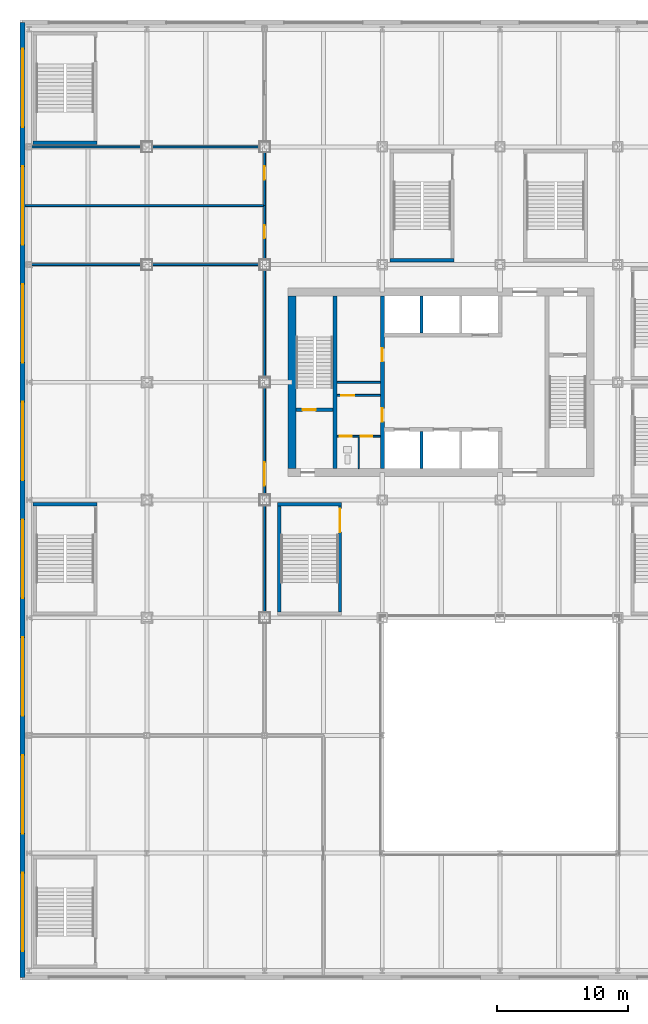
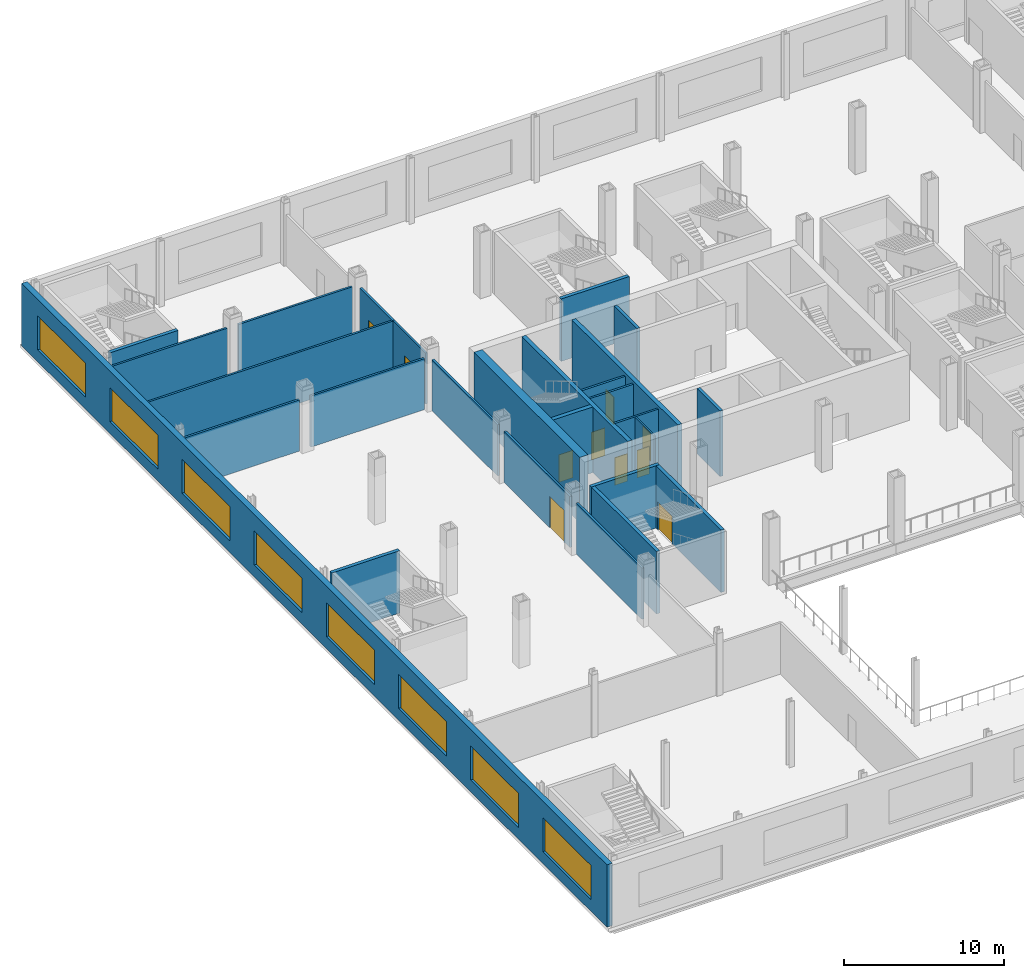
# One storey, part 12 of 28: 27 walls, 10 doors, 8 windows, 18 openings.
"""IFC4 building model written with IfcOpenShell, lengths in metres."""

from ifc_helpers import new_model, si_unit, direction, frame, frame_2d, origin, place, context, subcontext, project, spatial, rectangle, extrude, material, layer, layer_set, type_object, element, fill, save


model = new_model("IFC4")

# Units and contexts
model_context = context("Model", 3, precision=1e-05, world=origin(), true_north=direction((0.0, 1.0)))
body_context = subcontext(model_context, "Body", "Model", "MODEL_VIEW")
ifc_project = project(units=[si_unit("LENGTHUNIT", "METRE"), si_unit("AREAUNIT", "SQUARE_METRE"), si_unit("VOLUMEUNIT", "CUBIC_METRE"), si_unit("PLANEANGLEUNIT", "RADIAN"), si_unit("MASSUNIT", "GRAM", prefix="KILO")], contexts=[model_context])

# Site, building, storey
site_placement = place(None, origin())
site = spatial("IfcSite", under=ifc_project, at=site_placement, CompositionType="ELEMENT")
building_placement = place(site_placement, origin())
building = spatial("IfcBuilding", under=site, at=building_placement, Name="Loomwork Tower", CompositionType="ELEMENT")
storey_placement = place(building_placement, frame((0.0, 0.0, 6.0)))
storey = spatial("IfcBuildingStorey", under=building, at=storey_placement, Name="L01", CompositionType="ELEMENT", Elevation=6.0)

# Wall
ifc_material_1 = material(Name="Concrete 14000 psi (97 MPa)", Category="concrete")
ifc_layer_1 = layer(ifc_material_1, 0.300048828125)
ifc_layer_set_1 = layer_set([ifc_layer_1], Name="Core shear wall 300")
wall_type_1 = type_object("IfcWallType", Name="Core shear wall 300", PredefinedType="SHEAR", material=ifc_layer_set_1)
wall_1_placement = place(storey_placement, frame((14.39990234375, 11.39990234375, 0.0), z_axis=(0.0, 0.0, 1.0), x_axis=(0.0, 1.0, 0.0)))
element("IfcWall", 1, at=wall_1_placement, inside=storey, type_object=wall_type_1, Name="Stair A east wall L01", PredefinedType="SHEAR", context=body_context, shape_type="SweptSolid", body=[
    extrude(rectangle(XDim=13.2001953125, YDim=0.300048828125, at=frame_2d((6.60009765625, 0.0))), origin(), (0.0, 0.0, 1.0), 5.0),
])

# Wall, opening, door
wall_2_placement = place(storey_placement, frame((11.39990234375, 15.89990234375, 0.0), z_axis=(0.0, 0.0, 1.0), x_axis=(1.0, 0.0, 0.0)))
wall_2 = element("IfcWall", 2, at=wall_2_placement, inside=storey, type_object=wall_type_1, Name="Stair A south wall L01", PredefinedType="SHEAR", context=body_context, shape_type="SweptSolid", body=[
    extrude(rectangle(XDim=2.85009765625, YDim=0.300048828125, at=frame_2d((1.425048828125, 0.0))), origin(), (0.0, 0.0, 1.0), 5.0),
])
opening_1_placement = place(wall_2_placement, frame((0.5, 0.0, 0.0)))
opening_1 = element("IfcOpeningElement", 3, at=opening_1_placement, cuts=wall_2, Name="Opening D4", PredefinedType="OPENING", context=body_context, shape_type="SweptSolid", body=[
    extrude(rectangle(XDim=1.0, YDim=2.10009765625, at=frame_2d((0.5, 1.050048828125))), frame((0.0, 0.159912109375, 0.0), z_axis=(0.0, -1.0, 0.0), x_axis=(1.0, 0.0, 0.0)), (0.0, 0.0, 1.0), 0.320068359375),
])
ifc_material_2 = material(Name="Hollow metal door and frame")
door_type_1 = type_object("IfcDoorType", Name="Stair door 1000", OperationType="SINGLE_SWING_RIGHT", PredefinedType="DOOR", material=ifc_material_2)
door_1_placement = place(opening_1_placement, origin())
door_1 = element("IfcDoor", 4, at=door_1_placement, inside=storey, type_object=door_type_1, Name="Stair A door", OperationType="SINGLE_SWING_LEFT", OverallHeight=2.10009765625, OverallWidth=1.0, PredefinedType="DOOR", context=body_context, shape_type="SweptSolid", body=[
    extrude(rectangle(XDim=1.0, YDim=2.10009765625, at=frame_2d((0.5, 1.050048828125))), frame((0.0, 0.02490234375, 0.0), z_axis=(0.0, -1.0, 0.0), x_axis=(1.0, 0.0, 0.0)), (0.0, 0.0, 1.0), 0.050048828125),
])
fill(opening_1, door_1)

# Wall, openings, doors
wall_3_placement = place(storey_placement, frame((18.0, 11.39990234375, 0.0), z_axis=(0.0, 0.0, 1.0), x_axis=(0.0, 1.0, 0.0)))
wall_3 = element("IfcWall", 5, at=wall_3_placement, inside=storey, type_object=wall_type_1, Name="Lobby west wall L01", PredefinedType="SHEAR", context=body_context, shape_type="SweptSolid", body=[
    extrude(rectangle(XDim=13.2001953125, YDim=0.300048828125, at=frame_2d((6.60009765625, 0.0))), origin(), (0.0, 0.0, 1.0), 5.0),
])
opening_2_placement = place(wall_3_placement, frame((3.60009765625, 0.0, 0.0)))
opening_2 = element("IfcOpeningElement", 6, at=opening_2_placement, cuts=wall_3, Name="Opening D5", PredefinedType="OPENING", context=body_context, shape_type="SweptSolid", body=[
    extrude(rectangle(XDim=1.0, YDim=2.10009765625, at=frame_2d((0.5, 1.050048828125))), frame((0.0, 0.159912109375, 0.0), z_axis=(0.0, -1.0, 0.0), x_axis=(1.0, 0.0, 0.0)), (0.0, 0.0, 1.0), 0.320068359375),
])
opening_3_placement = place(wall_3_placement, frame((8.199951171875, 0.0, 0.0)))
opening_3 = element("IfcOpeningElement", 7, at=opening_3_placement, cuts=wall_3, Name="Opening D5", PredefinedType="OPENING", context=body_context, shape_type="SweptSolid", body=[
    extrude(rectangle(XDim=1.0, YDim=2.10009765625, at=frame_2d((0.5, 1.050048828125))), frame((0.0, 0.159912109375, 0.0), z_axis=(0.0, -1.0, 0.0), x_axis=(1.0, 0.0, 0.0)), (0.0, 0.0, 1.0), 0.320068359375),
])
ifc_material_3 = material(Name="Hollow metal door and frame")
door_type_2 = type_object("IfcDoorType", Name="Service door 1000", OperationType="SINGLE_SWING_LEFT", PredefinedType="DOOR", material=ifc_material_3)
door_2_placement = place(opening_2_placement, origin())
door_2 = element("IfcDoor", 8, at=door_2_placement, inside=storey, type_object=door_type_2, Name="Back-of-house door south", OperationType="SINGLE_SWING_LEFT", OverallHeight=2.10009765625, OverallWidth=1.0, PredefinedType="DOOR", context=body_context, shape_type="SweptSolid", body=[
    extrude(rectangle(XDim=1.0, YDim=2.10009765625, at=frame_2d((0.5, 1.050048828125))), frame((0.0, 0.02490234375, 0.0), z_axis=(0.0, -1.0, 0.0), x_axis=(1.0, 0.0, 0.0)), (0.0, 0.0, 1.0), 0.050048828125),
])
fill(opening_2, door_2)
door_3_placement = place(opening_3_placement, origin())
door_3 = element("IfcDoor", 9, at=door_3_placement, inside=storey, type_object=door_type_2, Name="Back-of-house door north", OperationType="SINGLE_SWING_RIGHT", OverallHeight=2.10009765625, OverallWidth=1.0, PredefinedType="DOOR", context=body_context, shape_type="SweptSolid", body=[
    extrude(rectangle(XDim=1.0, YDim=2.10009765625, at=frame_2d((0.5, 1.050048828125))), frame((0.0, 0.02490234375, 0.0), z_axis=(0.0, -1.0, 0.0), x_axis=(1.0, 0.0, 0.0)), (0.0, 0.0, 1.0), 0.050048828125),
])
fill(opening_3, door_3)

# Walls
ifc_material_4 = material(Name="Concrete 14000 psi (97 MPa)", Category="concrete")
ifc_layer_2 = layer(ifc_material_4, 0.60009765625)
ifc_layer_set_2 = layer_set([ifc_layer_2], Name="Core shear wall 600")
wall_type_2 = type_object("IfcWallType", Name="Core shear wall 600", PredefinedType="SHEAR", material=ifc_layer_set_2)
wall_4_placement = place(storey_placement, frame((11.10009765625, 11.39990234375, 0.0), z_axis=(0.0, 0.0, 1.0), x_axis=(0.0, 1.0, 0.0)))
element("IfcWall", 10, at=wall_4_placement, inside=storey, type_object=wall_type_2, Name="Core wall west L01", PredefinedType="SHEAR", context=body_context, shape_type="SweptSolid", body=[
    extrude(rectangle(XDim=13.2001953125, YDim=0.60009765625, at=frame_2d((6.60009765625, 0.0))), origin(), (0.0, 0.0, 1.0), 5.0),
])
ifc_material_5 = material(Name="Cement board on steel studs", Category="steel")
ifc_layer_3 = layer(ifc_material_5, 0.10009765625)
ifc_layer_set_3 = layer_set([ifc_layer_3], Name="En-suite partition 100")
wall_type_3 = type_object("IfcWallType", Name="En-suite partition 100", PredefinedType="PARTITIONING", material=ifc_layer_set_3)
wall_5_placement = place(storey_placement, frame((16.199951171875, 11.39990234375, 0.0), z_axis=(0.0, 0.0, 1.0), x_axis=(0.0, 1.0, 0.0)))
element("IfcWall", 11, at=wall_5_placement, inside=storey, type_object=wall_type_3, Name="Back-of-house partition L01 2", PredefinedType="PARTITIONING", context=body_context, shape_type="SweptSolid", body=[
    extrude(rectangle(XDim=2.400146484375, YDim=0.10009765625, at=frame_2d((1.2001953125, 0.0))), origin(), (0.0, 0.0, 1.0), 4.75),
])
ifc_material_6 = material(Name="Concrete 14000 psi (97 MPa)", Category="concrete")
ifc_layer_4 = layer(ifc_material_6, 0.199951171875)
ifc_layer_set_4 = layer_set([ifc_layer_4], Name="Lift shaft wall 200")
wall_type_4 = type_object("IfcWallType", Name="Lift shaft wall 200", PredefinedType="SHEAR", material=ifc_layer_set_4)
for number, where, z_axis, x_axis, name in (
    (12, (21.0, 11.39990234375, 0.0), (0.0, 0.0, 1.0), (0.0, 1.0, 0.0), "Lift shaft separation wall south 1 L01"),
    (13, (21.0, 21.75, 0.0), (0.0, 0.0, 1.0), (0.0, 1.0, 0.0), "Lift shaft separation wall north 1 L01"),
):
    element("IfcWall", number, at=place(storey_placement, frame(where, z_axis=z_axis, x_axis=x_axis)), inside=storey, type_object=wall_type_4, Name=name, PredefinedType="SHEAR", context=body_context, shape_type="SweptSolid", body=[
        extrude(rectangle(XDim=2.85009765625, YDim=0.199951171875, at=frame_2d((1.425048828125, 0.0))), origin(), (0.0, 0.0, 1.0), 5.0),
    ])
ifc_material_7 = material(Name="Gypsum board on steel studs, one-hour", Category="steel")
ifc_layer_5 = layer(ifc_material_7, 0.14990234375)
ifc_layer_set_5 = layer_set([ifc_layer_5], Name="Partition 150")
wall_type_5 = type_object("IfcWallType", Name="Partition 150", PredefinedType="PARTITIONING", material=ifc_layer_set_5)
wall_6_placement = place(storey_placement, frame((-8.81201171875, 27.0, 0.0), z_axis=(0.0, 0.0, 1.0), x_axis=(1.0, 0.0, 0.0)))
element("IfcWall", 14, at=wall_6_placement, inside=storey, type_object=wall_type_5, Name="Partition L01 2.1", PredefinedType="PARTITIONING", context=body_context, shape_type="SweptSolid", body=[
    extrude(rectangle(XDim=8.412109375, YDim=0.14990234375, at=frame_2d((4.2060546875, 0.0))), origin(), (0.0, 0.0, 1.0), 3.8916015625),
])
wall_7_placement = place(storey_placement, frame((0.39990234375, 27.0, 0.0), z_axis=(0.0, 0.0, 1.0), x_axis=(1.0, 0.0, 0.0)))
element("IfcWall", 15, at=wall_7_placement, inside=storey, type_object=wall_type_5, Name="Partition L01 2.2", PredefinedType="PARTITIONING", context=body_context, shape_type="SweptSolid", body=[
    extrude(rectangle(XDim=8.2001953125, YDim=0.14990234375, at=frame_2d((4.10009765625, 0.0))), origin(), (0.0, 0.0, 1.0), 3.8916015625),
])
wall_8_placement = place(storey_placement, frame((-9.300048828125, 31.5, 0.0), z_axis=(0.0, 0.0, 1.0), x_axis=(1.0, 0.0, 0.0)))
element("IfcWall", 16, at=wall_8_placement, inside=storey, type_object=wall_type_5, Name="Partition L01 3.1", PredefinedType="PARTITIONING", context=body_context, shape_type="SweptSolid", body=[
    extrude(rectangle(XDim=18.300048828125, YDim=0.14990234375, at=frame_2d((9.14990234375, 0.0))), origin(), (0.0, 0.0, 1.0), 3.89111328125),
])
wall_9_placement = place(storey_placement, frame((-8.81201171875, 36.0, 0.0), z_axis=(0.0, 0.0, 1.0), x_axis=(1.0, 0.0, 0.0)))
element("IfcWall", 17, at=wall_9_placement, inside=storey, type_object=wall_type_5, Name="Partition L01 4.1", PredefinedType="PARTITIONING", context=body_context, shape_type="SweptSolid", body=[
    extrude(rectangle(XDim=8.412109375, YDim=0.14990234375, at=frame_2d((4.2060546875, 0.0))), origin(), (0.0, 0.0, 1.0), 3.8916015625),
])
for number, where, z_axis, x_axis, name in (
    (18, (0.39990234375, 36.0, 0.0), (0.0, 0.0, 1.0), (1.0, 0.0, 0.0), "Partition L01 4.2"),
    (19, (9.0, 26.60009765625, 0.0), (0.0, 0.0, 1.0), (0.0, -1.0, 0.0), "Partition L01 6.1"),
):
    element("IfcWall", number, at=place(storey_placement, frame(where, z_axis=z_axis, x_axis=x_axis)), inside=storey, type_object=wall_type_5, Name=name, PredefinedType="PARTITIONING", context=body_context, shape_type="SweptSolid", body=[
        extrude(rectangle(XDim=8.2001953125, YDim=0.14990234375, at=frame_2d((4.10009765625, 0.0))), origin(), (0.0, 0.0, 1.0), 3.8916015625),
    ])

# Wall, opening, door
wall_10_placement = place(storey_placement, frame((9.0, 17.60009765625, 0.0), z_axis=(0.0, 0.0, 1.0), x_axis=(0.0, -1.0, 0.0)))
wall_10 = element("IfcWall", 20, at=wall_10_placement, inside=storey, type_object=wall_type_5, Name="Partition L01 6.2", PredefinedType="PARTITIONING", context=body_context, shape_type="SweptSolid", body=[
    extrude(rectangle(XDim=8.2001953125, YDim=0.14990234375, at=frame_2d((4.10009765625, 0.0))), origin(), (0.0, 0.0, 1.0), 3.8916015625),
])
opening_4_placement = place(wall_10_placement, frame((5.699951171875, 0.0, 0.0)))
opening_4 = element("IfcOpeningElement", 21, at=opening_4_placement, cuts=wall_10, Name="Opening D9", PredefinedType="OPENING", context=body_context, shape_type="SweptSolid", body=[
    extrude(rectangle(XDim=1.800048828125, YDim=2.39990234375, at=frame_2d((0.89990234375, 1.199951171875))), frame((0.0, 0.0849609375, 0.0), z_axis=(0.0, -1.0, 0.0), x_axis=(1.0, 0.0, 0.0)), (0.0, 0.0, 1.0), 0.169921875),
])
ifc_material_8 = material(Name="Hollow metal door and frame")
door_type_3 = type_object("IfcDoorType", Name="Double door 1800", OperationType="DOUBLE_DOOR_SINGLE_SWING", PredefinedType="DOOR", material=ifc_material_8)
door_4_placement = place(opening_4_placement, origin())
door_4 = element("IfcDoor", 22, at=door_4_placement, inside=storey, type_object=door_type_3, Name="Food court door", OperationType="DOUBLE_DOOR_SINGLE_SWING", OverallHeight=2.39990234375, OverallWidth=1.800048828125, PredefinedType="DOOR", context=body_context, shape_type="SweptSolid", body=[
    extrude(rectangle(XDim=1.800048828125, YDim=2.39990234375, at=frame_2d((0.89990234375, 1.199951171875))), frame((0.0, 0.02490234375, 0.0), z_axis=(0.0, -1.0, 0.0), x_axis=(1.0, 0.0, 0.0)), (0.0, 0.0, 1.0), 0.050048828125),
])
fill(opening_4, door_4)

# Wall
wall_11_placement = place(storey_placement, frame((9.0, 8.60009765625, 0.0), z_axis=(0.0, 0.0, 1.0), x_axis=(0.0, -1.0, 0.0)))
element("IfcWall", 23, at=wall_11_placement, inside=storey, type_object=wall_type_5, Name="Partition L01 6.3", PredefinedType="PARTITIONING", context=body_context, shape_type="SweptSolid", body=[
    extrude(rectangle(XDim=8.2001953125, YDim=0.14990234375, at=frame_2d((4.10009765625, 0.0))), origin(), (0.0, 0.0, 1.0), 3.8916015625),
])

# Wall, opening, door
wall_12_placement = place(storey_placement, frame((9.0, 31.5, 0.0), z_axis=(0.0, 0.0, 1.0), x_axis=(0.0, -1.0, 0.0)))
wall_12 = element("IfcWall", 24, at=wall_12_placement, inside=storey, type_object=wall_type_5, Name="Partition L01 7.1", PredefinedType="PARTITIONING", context=body_context, shape_type="SweptSolid", body=[
    extrude(rectangle(XDim=4.10009765625, YDim=0.14990234375, at=frame_2d((2.050048828125, 0.0))), origin(), (0.0, 0.0, 1.0), 3.8916015625),
])
opening_5_placement = place(wall_12_placement, frame((1.5, 0.0, 0.0)))
opening_5 = element("IfcOpeningElement", 25, at=opening_5_placement, cuts=wall_12, Name="Opening D8", PredefinedType="OPENING", context=body_context, shape_type="SweptSolid", body=[
    extrude(rectangle(XDim=1.0, YDim=2.10009765625, at=frame_2d((0.5, 1.050048828125))), frame((0.0, 0.0849609375, 0.0), z_axis=(0.0, -1.0, 0.0), x_axis=(1.0, 0.0, 0.0)), (0.0, 0.0, 1.0), 0.169921875),
])
ifc_material_9 = material(Name="Hollow metal door and frame")
door_type_4 = type_object("IfcDoorType", Name="WC door 1000", OperationType="SINGLE_SWING_LEFT", PredefinedType="DOOR", material=ifc_material_9)
door_5_placement = place(opening_5_placement, frame((1.0, 0.0, 0.0), z_axis=(0.0, 0.0, 1.0), x_axis=(-1.0, 0.0, 0.0)))
door_5 = element("IfcDoor", 26, at=door_5_placement, inside=storey, type_object=door_type_4, Name="Public WC men door", OperationType="SINGLE_SWING_RIGHT", OverallHeight=2.10009765625, OverallWidth=1.0, PredefinedType="DOOR", context=body_context, shape_type="SweptSolid", body=[
    extrude(rectangle(XDim=1.0, YDim=2.10009765625, at=frame_2d((0.5, 1.050048828125))), frame((0.0, 0.02490234375, 0.0), z_axis=(0.0, -1.0, 0.0), x_axis=(1.0, 0.0, 0.0)), (0.0, 0.0, 1.0), 0.050048828125),
])
fill(opening_5, door_5)

wall_13_placement = place(storey_placement, frame((9.0, 35.60009765625, 0.0), z_axis=(0.0, 0.0, 1.0), x_axis=(0.0, -1.0, 0.0)))
wall_13 = element("IfcWall", 27, at=wall_13_placement, inside=storey, type_object=wall_type_5, Name="Partition L01 8.1", PredefinedType="PARTITIONING", context=body_context, shape_type="SweptSolid", body=[
    extrude(rectangle(XDim=4.10009765625, YDim=0.14990234375, at=frame_2d((2.050048828125, 0.0))), origin(), (0.0, 0.0, 1.0), 3.8916015625),
])
opening_6_placement = place(wall_13_placement, frame((1.10009765625, 0.0, 0.0)))
opening_6 = element("IfcOpeningElement", 28, at=opening_6_placement, cuts=wall_13, Name="Opening D8", PredefinedType="OPENING", context=body_context, shape_type="SweptSolid", body=[
    extrude(rectangle(XDim=1.0, YDim=2.10009765625, at=frame_2d((0.5, 1.050048828125))), frame((0.0, 0.0849609375, 0.0), z_axis=(0.0, -1.0, 0.0), x_axis=(1.0, 0.0, 0.0)), (0.0, 0.0, 1.0), 0.169921875),
])
door_6_placement = place(opening_6_placement, frame((1.0, 0.0, 0.0), z_axis=(0.0, 0.0, 1.0), x_axis=(-1.0, 0.0, 0.0)))
door_6 = element("IfcDoor", 29, at=door_6_placement, inside=storey, type_object=door_type_4, Name="Public WC women door", OperationType="SINGLE_SWING_RIGHT", OverallHeight=2.10009765625, OverallWidth=1.0, PredefinedType="DOOR", context=body_context, shape_type="SweptSolid", body=[
    extrude(rectangle(XDim=1.0, YDim=2.10009765625, at=frame_2d((0.5, 1.050048828125))), frame((0.0, 0.02490234375, 0.0), z_axis=(0.0, -1.0, 0.0), x_axis=(1.0, 0.0, 0.0)), (0.0, 0.0, 1.0), 0.050048828125),
])
fill(opening_6, door_6)

# Wall
ifc_material_10 = material(Name="Gypsum board on steel studs", Category="steel")
ifc_layer_6 = layer(ifc_material_10, 0.14990234375)
ifc_layer_set_6 = layer_set([ifc_layer_6], Name="Partition 150 two-hour")
wall_type_6 = type_object("IfcWallType", Name="Partition 150 two-hour", PredefinedType="PARTITIONING", material=ifc_layer_set_6)
wall_14_placement = place(storey_placement, frame((14.550048828125, 18.0, 0.0), z_axis=(0.0, 0.0, 1.0), x_axis=(1.0, 0.0, 0.0)))
element("IfcWall", 30, at=wall_14_placement, inside=storey, type_object=wall_type_6, Name="Back-of-house dividing wall L01", PredefinedType="PARTITIONING", context=body_context, shape_type="SweptSolid", body=[
    extrude(rectangle(XDim=3.300048828125, YDim=0.14990234375, at=frame_2d((1.64990234375, 0.0))), origin(), (0.0, 0.0, 1.0), 4.75),
])

# Wall, openings, windows
ifc_material_11 = material(Name="Limestone on concrete masonry", Category="masonry")
ifc_layer_7 = layer(ifc_material_11, 0.39990234375)
ifc_layer_set_7 = layer_set([ifc_layer_7], Name="Podium limestone wall 400")
wall_type_7 = type_object("IfcWallType", Name="Podium limestone wall 400", PredefinedType="SOLIDWALL", material=ifc_layer_set_7)
wall_15_placement = place(storey_placement, frame((-9.5, 45.5, 0.0), z_axis=(0.0, 0.0, 1.0), x_axis=(0.0, -1.0, 0.0)))
wall_15 = element("IfcWall", 31, at=wall_15_placement, inside=storey, type_object=wall_type_7, Name="Podium stone wall W", PredefinedType="SOLIDWALL", context=body_context, shape_type="SweptSolid", body=[
    extrude(rectangle(XDim=73.0, YDim=0.39990234375, at=frame_2d((36.5, 0.0))), origin(), (0.0, 0.0, 1.0), 4.75),
])
opening_7_placement = place(wall_15_placement, frame((2.0, 0.0, 0.89990234375)))
opening_7 = element("IfcOpeningElement", 32, at=opening_7_placement, cuts=wall_15, Name="Opening CH3", PredefinedType="OPENING", context=body_context, shape_type="SweptSolid", body=[
    extrude(rectangle(XDim=6.0, YDim=2.60009765625, at=frame_2d((3.0, 1.300048828125))), frame((0.0, 0.2099609375, 0.0), z_axis=(0.0, -1.0, 0.0), x_axis=(1.0, 0.0, 0.0)), (0.0, 0.0, 1.0), 0.419921875),
])
opening_8_placement = place(wall_15_placement, frame((11.0, 0.0, 0.89990234375)))
opening_8 = element("IfcOpeningElement", 33, at=opening_8_placement, cuts=wall_15, Name="Opening CH3", PredefinedType="OPENING", context=body_context, shape_type="SweptSolid", body=[
    extrude(rectangle(XDim=6.0, YDim=2.60009765625, at=frame_2d((3.0, 1.300048828125))), frame((0.0, 0.2099609375, 0.0), z_axis=(0.0, -1.0, 0.0), x_axis=(1.0, 0.0, 0.0)), (0.0, 0.0, 1.0), 0.419921875),
])
opening_9_placement = place(wall_15_placement, frame((20.0, 0.0, 0.89990234375)))
opening_9 = element("IfcOpeningElement", 34, at=opening_9_placement, cuts=wall_15, Name="Opening CH3", PredefinedType="OPENING", context=body_context, shape_type="SweptSolid", body=[
    extrude(rectangle(XDim=6.0, YDim=2.60009765625, at=frame_2d((3.0, 1.300048828125))), frame((0.0, 0.2099609375, 0.0), z_axis=(0.0, -1.0, 0.0), x_axis=(1.0, 0.0, 0.0)), (0.0, 0.0, 1.0), 0.419921875),
])
opening_10_placement = place(wall_15_placement, frame((29.0, 0.0, 0.89990234375)))
opening_10 = element("IfcOpeningElement", 35, at=opening_10_placement, cuts=wall_15, Name="Opening CH3", PredefinedType="OPENING", context=body_context, shape_type="SweptSolid", body=[
    extrude(rectangle(XDim=6.0, YDim=2.60009765625, at=frame_2d((3.0, 1.300048828125))), frame((0.0, 0.2099609375, 0.0), z_axis=(0.0, -1.0, 0.0), x_axis=(1.0, 0.0, 0.0)), (0.0, 0.0, 1.0), 0.419921875),
])
opening_11_placement = place(wall_15_placement, frame((38.0, 0.0, 0.89990234375)))
opening_11 = element("IfcOpeningElement", 36, at=opening_11_placement, cuts=wall_15, Name="Opening CH3", PredefinedType="OPENING", context=body_context, shape_type="SweptSolid", body=[
    extrude(rectangle(XDim=6.0, YDim=2.60009765625, at=frame_2d((3.0, 1.300048828125))), frame((0.0, 0.2099609375, 0.0), z_axis=(0.0, -1.0, 0.0), x_axis=(1.0, 0.0, 0.0)), (0.0, 0.0, 1.0), 0.419921875),
])
opening_12_placement = place(wall_15_placement, frame((47.0, 0.0, 0.89990234375)))
opening_12 = element("IfcOpeningElement", 37, at=opening_12_placement, cuts=wall_15, Name="Opening CH3", PredefinedType="OPENING", context=body_context, shape_type="SweptSolid", body=[
    extrude(rectangle(XDim=6.0, YDim=2.60009765625, at=frame_2d((3.0, 1.300048828125))), frame((0.0, 0.2099609375, 0.0), z_axis=(0.0, -1.0, 0.0), x_axis=(1.0, 0.0, 0.0)), (0.0, 0.0, 1.0), 0.419921875),
])
opening_13_placement = place(wall_15_placement, frame((56.0, 0.0, 0.89990234375)))
opening_13 = element("IfcOpeningElement", 38, at=opening_13_placement, cuts=wall_15, Name="Opening CH3", PredefinedType="OPENING", context=body_context, shape_type="SweptSolid", body=[
    extrude(rectangle(XDim=6.0, YDim=2.60009765625, at=frame_2d((3.0, 1.300048828125))), frame((0.0, 0.2099609375, 0.0), z_axis=(0.0, -1.0, 0.0), x_axis=(1.0, 0.0, 0.0)), (0.0, 0.0, 1.0), 0.419921875),
])
opening_14_placement = place(wall_15_placement, frame((65.0, 0.0, 0.89990234375)))
opening_14 = element("IfcOpeningElement", 39, at=opening_14_placement, cuts=wall_15, Name="Opening CH3", PredefinedType="OPENING", context=body_context, shape_type="SweptSolid", body=[
    extrude(rectangle(XDim=6.0, YDim=2.60009765625, at=frame_2d((3.0, 1.300048828125))), frame((0.0, 0.2099609375, 0.0), z_axis=(0.0, -1.0, 0.0), x_axis=(1.0, 0.0, 0.0)), (0.0, 0.0, 1.0), 0.419921875),
])
ifc_material_12 = material(Name="Aluminium frame with clear insulated glass", Category="aluminium")
window_type = type_object("IfcWindowType", Name="Podium Chicago window 6000", PartitioningType="TRIPLE_PANEL_VERTICAL", PredefinedType="WINDOW", material=ifc_material_12)
window_1_placement = place(opening_7_placement, origin())
window_1 = element("IfcWindow", 40, at=window_1_placement, inside=storey, type_object=window_type, Name="Podium window W bay 1", OverallHeight=2.60009765625, OverallWidth=6.0, PartitioningType="TRIPLE_PANEL_VERTICAL", PredefinedType="WINDOW", context=body_context, shape_type="SweptSolid", body=[
    extrude(rectangle(XDim=6.0, YDim=2.60009765625, at=frame_2d((3.0, 1.300048828125))), frame((0.0, 0.030029296875, 0.0), z_axis=(0.0, -1.0, 0.0), x_axis=(1.0, 0.0, 0.0)), (0.0, 0.0, 1.0), 0.06005859375),
])
fill(opening_7, window_1)
window_2_placement = place(opening_8_placement, origin())
window_2 = element("IfcWindow", 41, at=window_2_placement, inside=storey, type_object=window_type, Name="Podium window W bay 2", OverallHeight=2.60009765625, OverallWidth=6.0, PartitioningType="TRIPLE_PANEL_VERTICAL", PredefinedType="WINDOW", context=body_context, shape_type="SweptSolid", body=[
    extrude(rectangle(XDim=6.0, YDim=2.60009765625, at=frame_2d((3.0, 1.300048828125))), frame((0.0, 0.030029296875, 0.0), z_axis=(0.0, -1.0, 0.0), x_axis=(1.0, 0.0, 0.0)), (0.0, 0.0, 1.0), 0.06005859375),
])
fill(opening_8, window_2)
window_3_placement = place(opening_9_placement, origin())
window_3 = element("IfcWindow", 42, at=window_3_placement, inside=storey, type_object=window_type, Name="Podium window W bay 3", OverallHeight=2.60009765625, OverallWidth=6.0, PartitioningType="TRIPLE_PANEL_VERTICAL", PredefinedType="WINDOW", context=body_context, shape_type="SweptSolid", body=[
    extrude(rectangle(XDim=6.0, YDim=2.60009765625, at=frame_2d((3.0, 1.300048828125))), frame((0.0, 0.030029296875, 0.0), z_axis=(0.0, -1.0, 0.0), x_axis=(1.0, 0.0, 0.0)), (0.0, 0.0, 1.0), 0.06005859375),
])
fill(opening_9, window_3)
window_4_placement = place(opening_10_placement, origin())
window_4 = element("IfcWindow", 43, at=window_4_placement, inside=storey, type_object=window_type, Name="Podium window W bay 4", OverallHeight=2.60009765625, OverallWidth=6.0, PartitioningType="TRIPLE_PANEL_VERTICAL", PredefinedType="WINDOW", context=body_context, shape_type="SweptSolid", body=[
    extrude(rectangle(XDim=6.0, YDim=2.60009765625, at=frame_2d((3.0, 1.300048828125))), frame((0.0, 0.030029296875, 0.0), z_axis=(0.0, -1.0, 0.0), x_axis=(1.0, 0.0, 0.0)), (0.0, 0.0, 1.0), 0.06005859375),
])
fill(opening_10, window_4)
window_5_placement = place(opening_11_placement, origin())
window_5 = element("IfcWindow", 44, at=window_5_placement, inside=storey, type_object=window_type, Name="Podium window W bay 5", OverallHeight=2.60009765625, OverallWidth=6.0, PartitioningType="TRIPLE_PANEL_VERTICAL", PredefinedType="WINDOW", context=body_context, shape_type="SweptSolid", body=[
    extrude(rectangle(XDim=6.0, YDim=2.60009765625, at=frame_2d((3.0, 1.300048828125))), frame((0.0, 0.030029296875, 0.0), z_axis=(0.0, -1.0, 0.0), x_axis=(1.0, 0.0, 0.0)), (0.0, 0.0, 1.0), 0.06005859375),
])
fill(opening_11, window_5)
window_6_placement = place(opening_12_placement, origin())
window_6 = element("IfcWindow", 45, at=window_6_placement, inside=storey, type_object=window_type, Name="Podium window W bay 6", OverallHeight=2.60009765625, OverallWidth=6.0, PartitioningType="TRIPLE_PANEL_VERTICAL", PredefinedType="WINDOW", context=body_context, shape_type="SweptSolid", body=[
    extrude(rectangle(XDim=6.0, YDim=2.60009765625, at=frame_2d((3.0, 1.300048828125))), frame((0.0, 0.030029296875, 0.0), z_axis=(0.0, -1.0, 0.0), x_axis=(1.0, 0.0, 0.0)), (0.0, 0.0, 1.0), 0.06005859375),
])
fill(opening_12, window_6)
window_7_placement = place(opening_13_placement, origin())
window_7 = element("IfcWindow", 46, at=window_7_placement, inside=storey, type_object=window_type, Name="Podium window W bay 7", OverallHeight=2.60009765625, OverallWidth=6.0, PartitioningType="TRIPLE_PANEL_VERTICAL", PredefinedType="WINDOW", context=body_context, shape_type="SweptSolid", body=[
    extrude(rectangle(XDim=6.0, YDim=2.60009765625, at=frame_2d((3.0, 1.300048828125))), frame((0.0, 0.030029296875, 0.0), z_axis=(0.0, -1.0, 0.0), x_axis=(1.0, 0.0, 0.0)), (0.0, 0.0, 1.0), 0.06005859375),
])
fill(opening_13, window_7)
window_8_placement = place(opening_14_placement, origin())
window_8 = element("IfcWindow", 47, at=window_8_placement, inside=storey, type_object=window_type, Name="Podium window W bay 8", OverallHeight=2.60009765625, OverallWidth=6.0, PartitioningType="TRIPLE_PANEL_VERTICAL", PredefinedType="WINDOW", context=body_context, shape_type="SweptSolid", body=[
    extrude(rectangle(XDim=6.0, YDim=2.60009765625, at=frame_2d((3.0, 1.300048828125))), frame((0.0, 0.030029296875, 0.0), z_axis=(0.0, -1.0, 0.0), x_axis=(1.0, 0.0, 0.0)), (0.0, 0.0, 1.0), 0.06005859375),
])
fill(opening_14, window_8)

# Wall, opening, door
ifc_material_13 = material(Name="Gypsum board on steel studs, one-hour", Category="steel")
ifc_layer_8 = layer(ifc_material_13, 0.14990234375)
ifc_layer_set_8 = layer_set([ifc_layer_8], Name="Service partition 150")
wall_type_8 = type_object("IfcWallType", Name="Service partition 150", PredefinedType="PARTITIONING", material=ifc_layer_set_8)
wall_16_placement = place(storey_placement, frame((14.550048828125, 17.0, 0.0), z_axis=(0.0, 0.0, 1.0), x_axis=(1.0, 0.0, 0.0)))
wall_16 = element("IfcWall", 48, at=wall_16_placement, inside=storey, type_object=wall_type_8, Name="Riser enclosure L01", PredefinedType="PARTITIONING", context=body_context, shape_type="SweptSolid", body=[
    extrude(rectangle(XDim=3.300048828125, YDim=0.14990234375, at=frame_2d((1.64990234375, 0.0))), origin(), (0.0, 0.0, 1.0), 4.75),
])
opening_15_placement = place(wall_16_placement, frame((0.300048828125, 0.0, 0.0)))
opening_15 = element("IfcOpeningElement", 49, at=opening_15_placement, cuts=wall_16, Name="Opening D18", PredefinedType="OPENING", context=body_context, shape_type="SweptSolid", body=[
    extrude(rectangle(XDim=1.0, YDim=2.10009765625, at=frame_2d((0.5, 1.050048828125))), frame((0.0, 0.0849609375, 0.0), z_axis=(0.0, -1.0, 0.0), x_axis=(1.0, 0.0, 0.0)), (0.0, 0.0, 1.0), 0.169921875),
])
ifc_material_14 = material(Name="Hollow metal door and frame")
door_type_5 = type_object("IfcDoorType", Name="Ninety-minute service door 1000", OperationType="SINGLE_SWING_LEFT", PredefinedType="DOOR", material=ifc_material_14)
door_7_placement = place(opening_15_placement, frame((1.0, 0.0, 0.0), z_axis=(0.0, 0.0, 1.0), x_axis=(-1.0, 0.0, 0.0)))
door_7 = element("IfcDoor", 50, at=door_7_placement, inside=storey, type_object=door_type_5, Name="Riser access door", OperationType="SINGLE_SWING_RIGHT", OverallHeight=2.10009765625, OverallWidth=1.0, PredefinedType="DOOR", context=body_context, shape_type="SweptSolid", body=[
    extrude(rectangle(XDim=1.0, YDim=2.10009765625, at=frame_2d((0.5, 1.050048828125))), frame((0.0, 0.02490234375, 0.0), z_axis=(0.0, -1.0, 0.0), x_axis=(1.0, 0.0, 0.0)), (0.0, 0.0, 1.0), 0.050048828125),
])
fill(opening_15, door_7)

# Wall, openings, doors
wall_17_placement = place(storey_placement, frame((14.550048828125, 13.875, 0.0), z_axis=(0.0, 0.0, 1.0), x_axis=(1.0, 0.0, 0.0)))
wall_17 = element("IfcWall", 51, at=wall_17_placement, inside=storey, type_object=wall_type_8, Name="Back-of-house partition L01", PredefinedType="PARTITIONING", context=body_context, shape_type="SweptSolid", body=[
    extrude(rectangle(XDim=3.300048828125, YDim=0.14990234375, at=frame_2d((1.64990234375, 0.0))), origin(), (0.0, 0.0, 1.0), 4.75),
])
opening_16_placement = place(wall_17_placement, frame((0.199951171875, 0.0, 0.0)))
opening_16 = element("IfcOpeningElement", 52, at=opening_16_placement, cuts=wall_17, Name="Opening D20", PredefinedType="OPENING", context=body_context, shape_type="SweptSolid", body=[
    extrude(rectangle(XDim=0.89990234375, YDim=2.10009765625, at=frame_2d((0.449951171875, 1.050048828125))), frame((0.0, 0.0849609375, 0.0), z_axis=(0.0, -1.0, 0.0), x_axis=(1.0, 0.0, 0.0)), (0.0, 0.0, 1.0), 0.169921875),
])
opening_17_placement = place(wall_17_placement, frame((1.800048828125, 0.0, 0.0)))
opening_17 = element("IfcOpeningElement", 53, at=opening_17_placement, cuts=wall_17, Name="Opening D20", PredefinedType="OPENING", context=body_context, shape_type="SweptSolid", body=[
    extrude(rectangle(XDim=0.89990234375, YDim=2.10009765625, at=frame_2d((0.449951171875, 1.050048828125))), frame((0.0, 0.0849609375, 0.0), z_axis=(0.0, -1.0, 0.0), x_axis=(1.0, 0.0, 0.0)), (0.0, 0.0, 1.0), 0.169921875),
])
ifc_material_15 = material(Name="Hollow metal door and frame")
door_type_6 = type_object("IfcDoorType", Name="Back-of-house door 900", OperationType="SINGLE_SWING_LEFT", PredefinedType="DOOR", material=ifc_material_15)
door_8_placement = place(opening_16_placement, frame((0.89990234375, 0.0, 0.0), z_axis=(0.0, 0.0, 1.0), x_axis=(-1.0, 0.0, 0.0)))
door_8 = element("IfcDoor", 54, at=door_8_placement, inside=storey, type_object=door_type_6, Name="Back-of-house room door", OperationType="SINGLE_SWING_RIGHT", OverallHeight=2.10009765625, OverallWidth=0.89990234375, PredefinedType="DOOR", context=body_context, shape_type="SweptSolid", body=[
    extrude(rectangle(XDim=0.89990234375, YDim=2.10009765625, at=frame_2d((0.449951171875, 1.050048828125))), frame((0.0, 0.02490234375, 0.0), z_axis=(0.0, -1.0, 0.0), x_axis=(1.0, 0.0, 0.0)), (0.0, 0.0, 1.0), 0.050048828125),
])
fill(opening_16, door_8)
door_9_placement = place(opening_17_placement, frame((0.89990234375, 0.0, 0.0), z_axis=(0.0, 0.0, 1.0), x_axis=(-1.0, 0.0, 0.0)))
door_9 = element("IfcDoor", 55, at=door_9_placement, inside=storey, type_object=door_type_6, Name="Back-of-house room door", OperationType="SINGLE_SWING_RIGHT", OverallHeight=2.10009765625, OverallWidth=0.89990234375, PredefinedType="DOOR", context=body_context, shape_type="SweptSolid", body=[
    extrude(rectangle(XDim=0.89990234375, YDim=2.10009765625, at=frame_2d((0.449951171875, 1.050048828125))), frame((0.0, 0.02490234375, 0.0), z_axis=(0.0, -1.0, 0.0), x_axis=(1.0, 0.0, 0.0)), (0.0, 0.0, 1.0), 0.050048828125),
])
fill(opening_17, door_9)

# Walls
ifc_material_16 = material(Name="Concrete masonry, two-hour", Category="masonry")
ifc_layer_9 = layer(ifc_material_16, 0.25)
ifc_layer_set_9 = layer_set([ifc_layer_9], Name="Stair enclosure wall 250")
wall_type_9 = type_object("IfcWallType", Name="Stair enclosure wall 250", PredefinedType="SOLIDWALL", material=ifc_layer_set_9)
for number, where, z_axis, x_axis, name in (
    (56, (-8.699951171875, 36.324951171875, 0.0), (0.0, 0.0, 1.0), (1.0, 0.0, 0.0), "Stair PS3 enclosure wall S L01"),
    (57, (-8.699951171875, 8.675048828125, 0.0), (0.0, 0.0, 1.0), (1.0, 0.0, 0.0), "Stair PS5 enclosure wall N L01"),
    (58, (18.60009765625, 27.324951171875, 0.0), (0.0, 0.0, 1.0), (1.0, 0.0, 0.0), "Stair PS10 enclosure wall S L01"),
    (59, (10.0, 8.675048828125, 0.0), (0.0, 0.0, 1.0), (1.0, 0.0, 0.0), "Stair PS12 enclosure wall N L01"),
):
    element("IfcWall", number, at=place(storey_placement, frame(where, z_axis=z_axis, x_axis=x_axis)), inside=storey, type_object=wall_type_9, Name=name, PredefinedType="SOLIDWALL", context=body_context, shape_type="SweptSolid", body=[
        extrude(rectangle(XDim=4.89990234375, YDim=0.25, at=frame_2d((2.449951171875, 0.0))), origin(), (0.0, 0.0, 1.0), 4.75),
    ])
wall_18_placement = place(storey_placement, frame((10.125, 0.449951171875, 0.0), z_axis=(0.0, 0.0, 1.0), x_axis=(0.0, 1.0, 0.0)))
element("IfcWall", 60, at=wall_18_placement, inside=storey, type_object=wall_type_9, Name="Stair PS12 enclosure wall W L01", PredefinedType="SOLIDWALL", context=body_context, shape_type="SweptSolid", body=[
    extrude(rectangle(XDim=8.10009765625, YDim=0.25, at=frame_2d((4.050048828125, 0.0))), origin(), (0.0, 0.0, 1.0), 4.75),
])

# Wall, opening, door
wall_19_placement = place(storey_placement, frame((14.77490234375, 0.449951171875, 0.0), z_axis=(0.0, 0.0, 1.0), x_axis=(0.0, 1.0, 0.0)))
wall_19 = element("IfcWall", 61, at=wall_19_placement, inside=storey, type_object=wall_type_9, Name="Stair PS12 enclosure wall E L01", PredefinedType="SOLIDWALL", context=body_context, shape_type="SweptSolid", body=[
    extrude(rectangle(XDim=8.10009765625, YDim=0.25, at=frame_2d((4.050048828125, 0.0))), origin(), (0.0, 0.0, 1.0), 4.75),
])
opening_18_placement = place(wall_19_placement, frame((6.10009765625, 0.0, 0.0)))
opening_18 = element("IfcOpeningElement", 62, at=opening_18_placement, cuts=wall_19, Name="Opening D14", PredefinedType="OPENING", context=body_context, shape_type="SweptSolid", body=[
    extrude(rectangle(XDim=1.800048828125, YDim=2.10009765625, at=frame_2d((0.89990234375, 1.050048828125))), frame((0.0, 0.135009765625, 0.0), z_axis=(0.0, -1.0, 0.0), x_axis=(1.0, 0.0, 0.0)), (0.0, 0.0, 1.0), 0.27001953125),
])
ifc_material_17 = material(Name="Hollow metal door and frame")
door_type_7 = type_object("IfcDoorType", Name="Stair double door 1800", OperationType="DOUBLE_DOOR_SINGLE_SWING", PredefinedType="DOOR", material=ifc_material_17)
door_10_placement = place(opening_18_placement, origin())
door_10 = element("IfcDoor", 63, at=door_10_placement, inside=storey, type_object=door_type_7, Name="Stair PS12 door L01", OperationType="DOUBLE_DOOR_SINGLE_SWING", OverallHeight=2.10009765625, OverallWidth=1.800048828125, PredefinedType="DOOR", context=body_context, shape_type="SweptSolid", body=[
    extrude(rectangle(XDim=1.800048828125, YDim=2.10009765625, at=frame_2d((0.89990234375, 1.050048828125))), frame((0.0, 0.02490234375, 0.0), z_axis=(0.0, -1.0, 0.0), x_axis=(1.0, 0.0, 0.0)), (0.0, 0.0, 1.0), 0.050048828125),
])
fill(opening_18, door_10)

save(model, "model.ifc")
